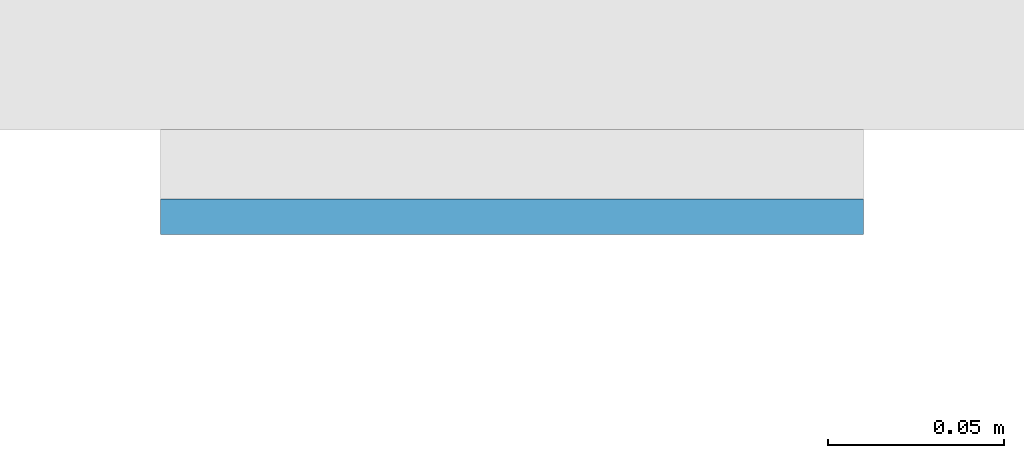
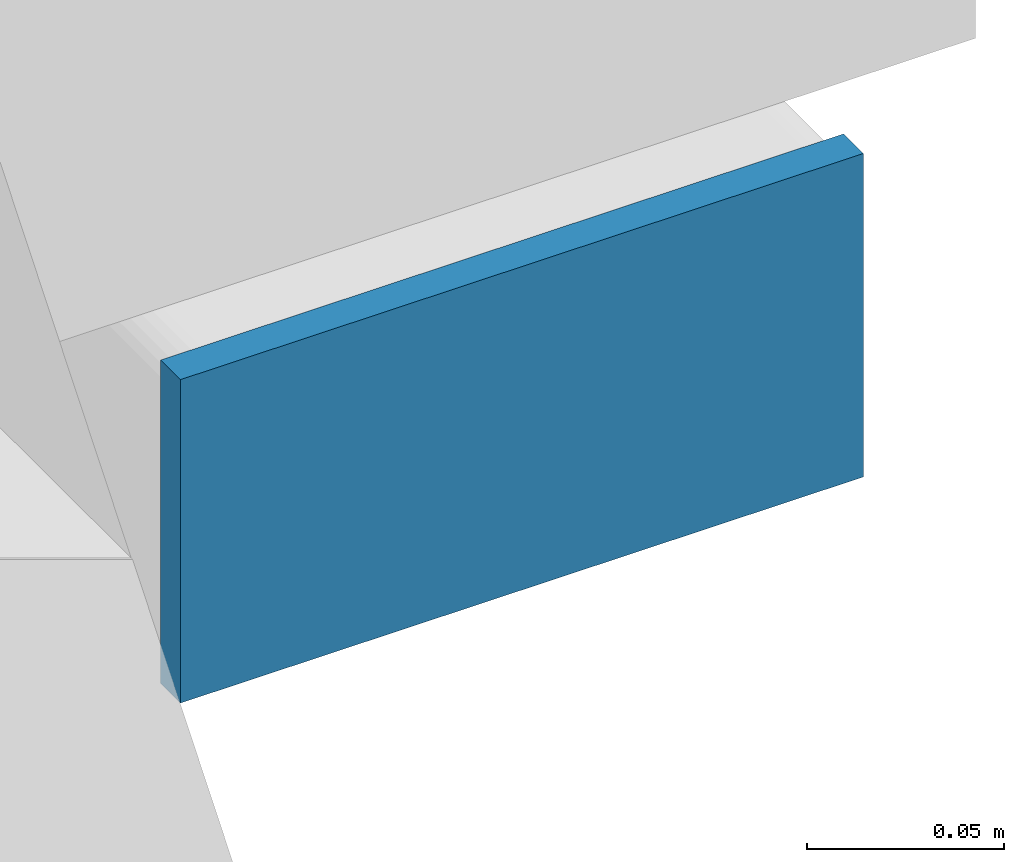
# One storey, part 10 of 20: 1 plate.
"""IFC4 building model written with IfcOpenShell, lengths in metres."""

from ifc_helpers import new_model, si_unit, direction, frame, origin, origin_2d, place, context, subcontext, project, spatial, rectangle, extrude, material, layer, layer_set, type_object, element, save


model = new_model("IFC4")

# Units and contexts
model_context = context("Model", 3, precision=1e-05, world=origin(), true_north=direction((0.0, 1.0)))
body_context = subcontext(model_context, "Body", "Model", "MODEL_VIEW")
ifc_project = project(units=[si_unit("LENGTHUNIT", "METRE"), si_unit("AREAUNIT", "SQUARE_METRE"), si_unit("VOLUMEUNIT", "CUBIC_METRE"), si_unit("PLANEANGLEUNIT", "RADIAN"), si_unit("MASSUNIT", "GRAM", prefix="KILO")], contexts=[model_context])

# Site, building, storey
site_placement = place(None, origin())
site = spatial("IfcSite", under=ifc_project, at=site_placement, CompositionType="ELEMENT")
building_placement = place(site_placement, origin())
building = spatial("IfcBuilding", under=site, at=building_placement, Name="Cleftline Residences", CompositionType="ELEMENT")
storey_placement = place(building_placement, frame((0.0, 0.0, 143.0)))
storey = spatial("IfcBuildingStorey", under=building, at=storey_placement, Name="L37", CompositionType="ELEMENT", Elevation=143.0)

# Plate
ifc_material = material(Name="Steel S355, hot-dip galvanised", Category="steel")
ifc_layer = layer(ifc_material, 0.010009765625)
ifc_layer_set = layer_set([ifc_layer], Name="BAGUETTE CARRIER END PLATE 200X100X10")
plate_type = type_object("IfcPlateType", Name="BAGUETTE CARRIER END PLATE 200X100X10", PredefinedType="USERDEFINED", material=ifc_layer_set)
plate_placement = place(storey_placement, frame((66.85009765625, 3.695068359375, -0.10009765625), z_axis=(0.0, 0.0, 1.0), x_axis=(1.0, 0.0, 0.0)))
element("IfcPlate", 1, at=plate_placement, inside=storey, type_object=plate_type, Name="Baguette carrier end plate", ObjectType="BAGUETTE CARRIER END PLATE", PredefinedType="USERDEFINED", context=body_context, shape_type="SweptSolid", body=[
    extrude(rectangle(XDim=0.199951171875, YDim=0.010009765625, at=origin_2d()), origin(), (0.0, 0.0, 1.0), 0.10009765625),
])

save(model, "model.ifc")
